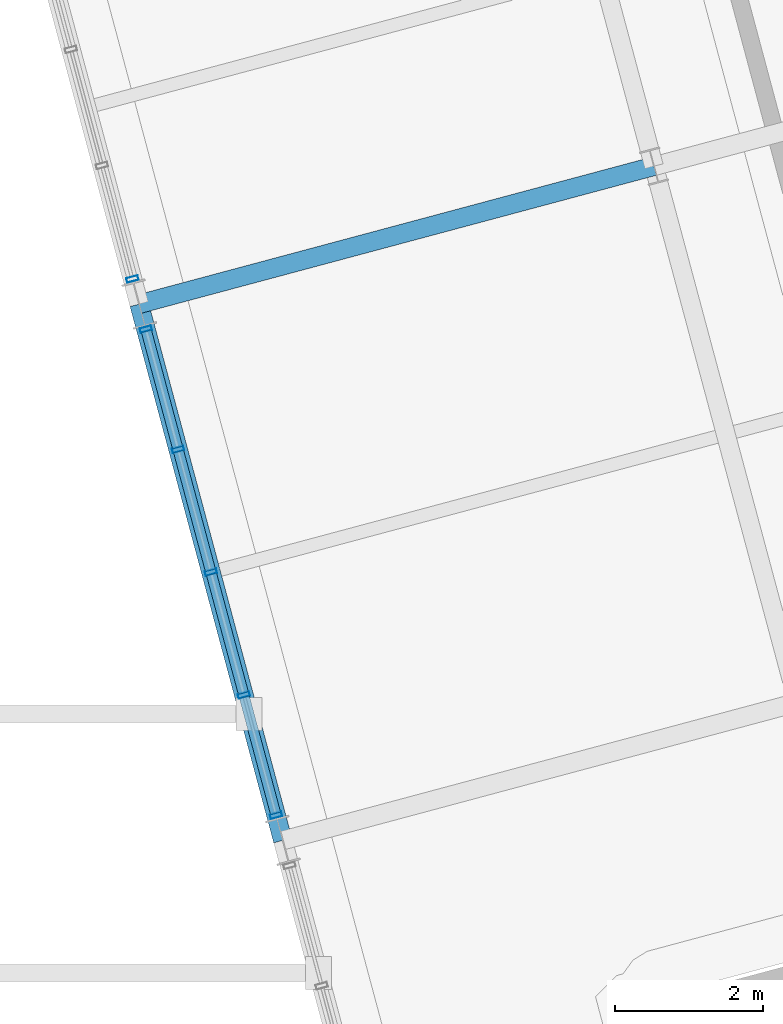
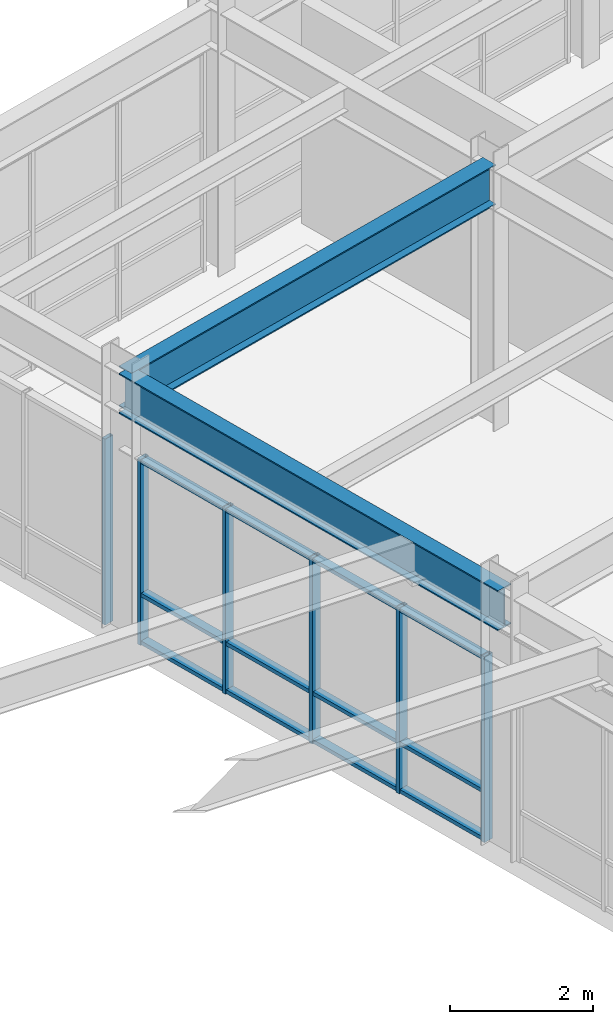
# One storey, part 38 of 104: 18 members, 2 beams, 2 elements without a shape of their own.
"""IFC4 building model written with IfcOpenShell, lengths in metres."""

from ifc_helpers import new_model, si_unit, direction, frame, origin, origin_2d, place, context, subcontext, project, spatial, hollow_rectangle, i_section, extrude, material, layer, layer_set, material_profile, profile_set, type_object, element, aggregate, save


model = new_model("IFC4")

# Units and contexts
model_context = context("Model", 3, precision=1e-05, world=origin(), true_north=direction((0.0, 1.0)))
body_context = subcontext(model_context, "Body", "Model", "MODEL_VIEW")
ifc_project = project(units=[si_unit("LENGTHUNIT", "METRE"), si_unit("AREAUNIT", "SQUARE_METRE"), si_unit("VOLUMEUNIT", "CUBIC_METRE"), si_unit("PLANEANGLEUNIT", "RADIAN"), si_unit("MASSUNIT", "GRAM", prefix="KILO")], contexts=[model_context])

# Site, building, storey
site_placement = place(None, origin())
site = spatial("IfcSite", under=ifc_project, at=site_placement, CompositionType="ELEMENT")
building_placement = place(site_placement, origin())
building = spatial("IfcBuilding", under=site, at=building_placement, Name="Ventoquebrada Cableway Terminal", CompositionType="ELEMENT")
storey_placement = place(building_placement, frame((0.0, 0.0, 4.800048828125)))
storey = spatial("IfcBuildingStorey", under=building, at=storey_placement, Name="L01", CompositionType="ELEMENT", Elevation=4.800048828125)

# Beams
ifc_material_1 = material(Name="Steel ASTM A992 Grade 50", Category="steel")
ifc_material_profile_1 = material_profile(ifc_material_1, i_section(OverallWidth=0.25390625, OverallDepth=0.68798828125, WebThickness=0.01318359375, FlangeThickness=0.02099609375, at=origin_2d()), Name="W27X102")
ifc_profile_set_1 = profile_set([ifc_material_profile_1], Name="Steel ASTM A992 Grade 50")
beam_type = type_object("IfcBeamType", Name="BM-ST04", PredefinedType="BEAM", material=ifc_profile_set_1)
beam_1_placement = place(storey_placement, frame((48.613037109375, 82.341064453125, 4.130859375), z_axis=(-0.258776761059, 0.965937155273, 0.0), x_axis=(-0.965937155273, -0.258776761059, 0.0)))
element("IfcBeam", 1, at=beam_1_placement, inside=storey, type_object=beam_type, Name="Splayed station girder FBM-1019", PredefinedType="BEAM", context=body_context, shape_type="SweptSolid", body=[
    extrude(i_section(OverallWidth=0.25390625, OverallDepth=0.68798828125, WebThickness=0.01318359375, FlangeThickness=0.02099609375, at=origin_2d()), origin(), (0.0, 0.0, 1.0), 7.500244140625),
])
beam_2_placement = place(storey_placement, frame((46.672119140625, 89.5859375, 4.130859375), z_axis=(0.965943360086, 0.258753599214, 0.0), x_axis=(-0.258753599214, 0.965943360086, 0.0)))
element("IfcBeam", 2, at=beam_2_placement, inside=storey, type_object=beam_type, Name="Splayed station girder FBM-1056", PredefinedType="BEAM", context=body_context, shape_type="SweptSolid", body=[
    extrude(i_section(OverallWidth=0.25390625, OverallDepth=0.68798828125, WebThickness=0.01318359375, FlangeThickness=0.02099609375, at=origin_2d()), origin(), (0.0, 0.0, 1.0), 7.199951171875),
])

# Curtain wall, members
ifc_material_2 = material(Name="Anodized thermally-broken aluminium", Category="aluminium")
ifc_layer_1 = layer(ifc_material_2, 0.159912109375)
ifc_layer_set_1 = layer_set([ifc_layer_1], Name="Anodized thermally-broken aluminium")
curtain_wall_type_1 = type_object("IfcCurtainWallType", Name="CW-T39", PredefinedType="USERDEFINED", material=ifc_layer_set_1)
curtain_wall_1_placement = place(storey_placement, origin())
curtain_wall_1 = element("IfcCurtainWall", 3, at=curtain_wall_1_placement, inside=storey, type_object=curtain_wall_type_1, Name="Unitised glazed curtain wall CW-095", ObjectType="UNITISED CURTAIN WALL", PredefinedType="USERDEFINED")
ifc_material_profile_2 = material_profile(ifc_material_2, hollow_rectangle(XDim=0.06494140625, YDim=0.159912109375, WallThickness=0.00390625, at=origin_2d()), Name="CW-MUL-65X160")
ifc_profile_set_2 = profile_set([ifc_material_profile_2], Name="Anodized thermally-broken aluminium")
member_type_1 = type_object("IfcMemberType", Name="CWM-01", PredefinedType="MULLION", material=ifc_profile_set_2)
member_1_placement = place(storey_placement, frame((46.762939453125, 89.2470703125, -0.008056640625), z_axis=(0.0, 0.0, 1.0), x_axis=(0.258701033069, -0.965957439792, 0.0)))
member_1 = element("IfcMember", 4, at=member_1_placement, type_object=member_type_1, Name="Curtain wall mullion FML-0463", PredefinedType="MULLION", context=body_context, shape_type="SweptSolid", body=[
    extrude(hollow_rectangle(XDim=0.06494140625, YDim=0.159912109375, WallThickness=0.00390625, at=origin_2d()), origin(), (0.0, 0.0, 1.0), 3.173095703125),
])
member_2_placement = place(storey_placement, frame((47.197998046875, 87.6220703125, -0.008056640625), z_axis=(0.0, 0.0, 1.0), x_axis=(0.258701033069, -0.965957439792, 0.0)))
member_2 = element("IfcMember", 5, at=member_2_placement, type_object=member_type_1, Name="Curtain wall mullion FML-0464", PredefinedType="MULLION", context=body_context, shape_type="SweptSolid", body=[
    extrude(hollow_rectangle(XDim=0.06494140625, YDim=0.159912109375, WallThickness=0.00390625, at=origin_2d()), origin(), (0.0, 0.0, 1.0), 3.173095703125),
])
member_3_placement = place(storey_placement, frame((47.64208984375, 85.964111328125, -0.008056640625), z_axis=(0.0, 0.0, 1.0), x_axis=(0.258701033069, -0.965957439792, 0.0)))
member_3 = element("IfcMember", 6, at=member_3_placement, type_object=member_type_1, Name="Curtain wall mullion FML-0465", PredefinedType="MULLION", context=body_context, shape_type="SweptSolid", body=[
    extrude(hollow_rectangle(XDim=0.06494140625, YDim=0.159912109375, WallThickness=0.00390625, at=origin_2d()), origin(), (0.0, 0.0, 1.0), 3.173095703125),
])
member_4_placement = place(storey_placement, frame((48.0869140625, 84.304931640625, -0.008056640625), z_axis=(0.0, 0.0, 1.0), x_axis=(0.258701033069, -0.965957439792, 0.0)))
member_4 = element("IfcMember", 7, at=member_4_placement, type_object=member_type_1, Name="Curtain wall mullion FML-0466", PredefinedType="MULLION", context=body_context, shape_type="SweptSolid", body=[
    extrude(hollow_rectangle(XDim=0.06494140625, YDim=0.159912109375, WallThickness=0.00390625, at=origin_2d()), origin(), (0.0, 0.0, 1.0), 3.173095703125),
])
member_5_placement = place(storey_placement, frame((48.52197265625, 82.679931640625, -0.008056640625), z_axis=(0.0, 0.0, 1.0), x_axis=(0.258701033069, -0.965957439792, 0.0)))
member_5 = element("IfcMember", 8, at=member_5_placement, type_object=member_type_1, Name="Curtain wall mullion FML-0467", PredefinedType="MULLION", context=body_context, shape_type="SweptSolid", body=[
    extrude(hollow_rectangle(XDim=0.06494140625, YDim=0.159912109375, WallThickness=0.00390625, at=origin_2d()), origin(), (0.0, 0.0, 1.0), 3.173095703125),
])

# Curtain wall, member
ifc_layer_2 = layer(ifc_material_2, 0.159912109375)
ifc_layer_set_2 = layer_set([ifc_layer_2], Name="Anodized thermally-broken aluminium")
curtain_wall_type_2 = type_object("IfcCurtainWallType", Name="CW-T38", PredefinedType="USERDEFINED", material=ifc_layer_set_2)
curtain_wall_2_placement = place(storey_placement, origin())
curtain_wall_2 = element("IfcCurtainWall", 9, at=curtain_wall_2_placement, inside=storey, type_object=curtain_wall_type_2, Name="Unitised glazed curtain wall CW-096", ObjectType="UNITISED CURTAIN WALL", PredefinedType="USERDEFINED")
member_6_placement = place(storey_placement, frame((46.5810546875, 89.925048828125, -0.008056640625), z_axis=(0.0, 0.0, 1.0), x_axis=(0.258650455301, -0.965970984022, 0.0)))
member_6 = element("IfcMember", 10, at=member_6_placement, type_object=member_type_1, Name="Curtain wall mullion FML-0471", PredefinedType="MULLION", context=body_context, shape_type="SweptSolid", body=[
    extrude(hollow_rectangle(XDim=0.06494140625, YDim=0.159912109375, WallThickness=0.00390625, at=origin_2d()), origin(), (0.0, 0.0, 1.0), 3.173095703125),
])
aggregate(curtain_wall_2, [member_6])

# Member
ifc_material_profile_3 = material_profile(ifc_material_2, hollow_rectangle(XDim=0.06494140625, YDim=0.139892578125, WallThickness=0.00390625, at=origin_2d()), Name="CW-TRN-65X140")
ifc_profile_set_3 = profile_set([ifc_material_profile_3], Name="Anodized thermally-broken aluminium")
member_type_2 = type_object("IfcMemberType", Name="CWT-01", PredefinedType="USERDEFINED", material=ifc_profile_set_3)
member_7_placement = place(storey_placement, frame((46.77001953125, 89.220947265625, 0.034912109375), z_axis=(0.25863360095, -0.965975496821, 0.0), x_axis=(0.0, 0.0, 1.0)))
member_7 = element("IfcMember", 11, at=member_7_placement, type_object=member_type_2, Name="Curtain wall transom FTR-1373", ObjectType="TRANSOM", PredefinedType="USERDEFINED", context=body_context, shape_type="SweptSolid", body=[
    extrude(hollow_rectangle(XDim=0.06494140625, YDim=0.139892578125, WallThickness=0.00390625, at=origin_2d()), origin(), (0.0, 0.0, 1.0), 1.62744140625),
])

member_8_placement = place(storey_placement, frame((46.77001953125, 89.220947265625, 0.849853515625), z_axis=(0.25863360095, -0.965975496821, 0.0), x_axis=(0.0, 0.0, 1.0)))
member_8 = element("IfcMember", 12, at=member_8_placement, type_object=member_type_2, Name="Curtain wall transom FTR-1374", ObjectType="TRANSOM", PredefinedType="USERDEFINED", context=body_context, shape_type="SweptSolid", body=[
    extrude(hollow_rectangle(XDim=0.06494140625, YDim=0.139892578125, WallThickness=0.00390625, at=origin_2d()), origin(), (0.0, 0.0, 1.0), 1.62744140625),
])

member_9_placement = place(storey_placement, frame((46.77001953125, 89.220947265625, 3.125), z_axis=(0.25863360095, -0.965975496821, 0.0), x_axis=(0.0, 0.0, 1.0)))
member_9 = element("IfcMember", 13, at=member_9_placement, type_object=member_type_2, Name="Curtain wall transom FTR-1375", ObjectType="TRANSOM", PredefinedType="USERDEFINED", context=body_context, shape_type="SweptSolid", body=[
    extrude(hollow_rectangle(XDim=0.06494140625, YDim=0.139892578125, WallThickness=0.00390625, at=origin_2d()), origin(), (0.0, 0.0, 1.0), 1.62744140625),
])

member_10_placement = place(storey_placement, frame((47.205078125, 87.595947265625, 0.034912109375), z_axis=(0.258603956561, -0.965983433425, 0.0), x_axis=(0.0, 0.0, 1.0)))
member_10 = element("IfcMember", 14, at=member_10_placement, type_object=member_type_2, Name="Curtain wall transom FTR-1376", ObjectType="TRANSOM", PredefinedType="USERDEFINED", context=body_context, shape_type="SweptSolid", body=[
    extrude(hollow_rectangle(XDim=0.06494140625, YDim=0.139892578125, WallThickness=0.00390625, at=origin_2d()), origin(), (0.0, 0.0, 1.0), 1.66259765625),
])

member_11_placement = place(storey_placement, frame((47.205078125, 87.595947265625, 0.849853515625), z_axis=(0.258603956561, -0.965983433425, 0.0), x_axis=(0.0, 0.0, 1.0)))
member_11 = element("IfcMember", 15, at=member_11_placement, type_object=member_type_2, Name="Curtain wall transom FTR-1377", ObjectType="TRANSOM", PredefinedType="USERDEFINED", context=body_context, shape_type="SweptSolid", body=[
    extrude(hollow_rectangle(XDim=0.06494140625, YDim=0.139892578125, WallThickness=0.00390625, at=origin_2d()), origin(), (0.0, 0.0, 1.0), 1.66259765625),
])

member_12_placement = place(storey_placement, frame((47.205078125, 87.595947265625, 3.125), z_axis=(0.258603956561, -0.965983433425, 0.0), x_axis=(0.0, 0.0, 1.0)))
member_12 = element("IfcMember", 16, at=member_12_placement, type_object=member_type_2, Name="Curtain wall transom FTR-1378", ObjectType="TRANSOM", PredefinedType="USERDEFINED", context=body_context, shape_type="SweptSolid", body=[
    extrude(hollow_rectangle(XDim=0.06494140625, YDim=0.139892578125, WallThickness=0.00390625, at=origin_2d()), origin(), (0.0, 0.0, 1.0), 1.66259765625),
])

member_13_placement = place(storey_placement, frame((47.64990234375, 85.93701171875, 0.034912109375), z_axis=(0.258740978599, -0.965946740764, 0.0), x_axis=(0.0, 0.0, 1.0)))
member_13 = element("IfcMember", 17, at=member_13_placement, type_object=member_type_2, Name="Curtain wall transom FTR-1379", ObjectType="TRANSOM", PredefinedType="USERDEFINED", context=body_context, shape_type="SweptSolid", body=[
    extrude(hollow_rectangle(XDim=0.06494140625, YDim=0.139892578125, WallThickness=0.00390625, at=origin_2d()), origin(), (0.0, 0.0, 1.0), 1.66259765625),
])

member_14_placement = place(storey_placement, frame((47.64990234375, 85.93701171875, 0.849853515625), z_axis=(0.258740978599, -0.965946740764, 0.0), x_axis=(0.0, 0.0, 1.0)))
member_14 = element("IfcMember", 18, at=member_14_placement, type_object=member_type_2, Name="Curtain wall transom FTR-1380", ObjectType="TRANSOM", PredefinedType="USERDEFINED", context=body_context, shape_type="SweptSolid", body=[
    extrude(hollow_rectangle(XDim=0.06494140625, YDim=0.139892578125, WallThickness=0.00390625, at=origin_2d()), origin(), (0.0, 0.0, 1.0), 1.66259765625),
])

member_15_placement = place(storey_placement, frame((47.64990234375, 85.93701171875, 3.125), z_axis=(0.258740978599, -0.965946740764, 0.0), x_axis=(0.0, 0.0, 1.0)))
member_15 = element("IfcMember", 19, at=member_15_placement, type_object=member_type_2, Name="Curtain wall transom FTR-1381", ObjectType="TRANSOM", PredefinedType="USERDEFINED", context=body_context, shape_type="SweptSolid", body=[
    extrude(hollow_rectangle(XDim=0.06494140625, YDim=0.139892578125, WallThickness=0.00390625, at=origin_2d()), origin(), (0.0, 0.0, 1.0), 1.66259765625),
])

member_16_placement = place(storey_placement, frame((48.093994140625, 84.278076171875, 0.034912109375), z_axis=(0.25863360095, -0.965975496821, 0.0), x_axis=(0.0, 0.0, 1.0)))
member_16 = element("IfcMember", 20, at=member_16_placement, type_object=member_type_2, Name="Curtain wall transom FTR-1382", ObjectType="TRANSOM", PredefinedType="USERDEFINED", context=body_context, shape_type="SweptSolid", body=[
    extrude(hollow_rectangle(XDim=0.06494140625, YDim=0.139892578125, WallThickness=0.00390625, at=origin_2d()), origin(), (0.0, 0.0, 1.0), 1.62744140625),
])

member_17_placement = place(storey_placement, frame((48.093994140625, 84.278076171875, 0.849853515625), z_axis=(0.25863360095, -0.965975496821, 0.0), x_axis=(0.0, 0.0, 1.0)))
member_17 = element("IfcMember", 21, at=member_17_placement, type_object=member_type_2, Name="Curtain wall transom FTR-1383", ObjectType="TRANSOM", PredefinedType="USERDEFINED", context=body_context, shape_type="SweptSolid", body=[
    extrude(hollow_rectangle(XDim=0.06494140625, YDim=0.139892578125, WallThickness=0.00390625, at=origin_2d()), origin(), (0.0, 0.0, 1.0), 1.62744140625),
])

member_18_placement = place(storey_placement, frame((48.093994140625, 84.278076171875, 3.125), z_axis=(0.25863360095, -0.965975496821, 0.0), x_axis=(0.0, 0.0, 1.0)))
member_18 = element("IfcMember", 22, at=member_18_placement, type_object=member_type_2, Name="Curtain wall transom FTR-1384", ObjectType="TRANSOM", PredefinedType="USERDEFINED", context=body_context, shape_type="SweptSolid", body=[
    extrude(hollow_rectangle(XDim=0.06494140625, YDim=0.139892578125, WallThickness=0.00390625, at=origin_2d()), origin(), (0.0, 0.0, 1.0), 1.62744140625),
])

aggregate(curtain_wall_1, [member_1, member_2, member_3, member_4, member_5, member_7, member_8, member_9, member_10, member_11, member_12, member_13, member_14, member_15, member_16, member_17, member_18])

save(model, "model.ifc")
